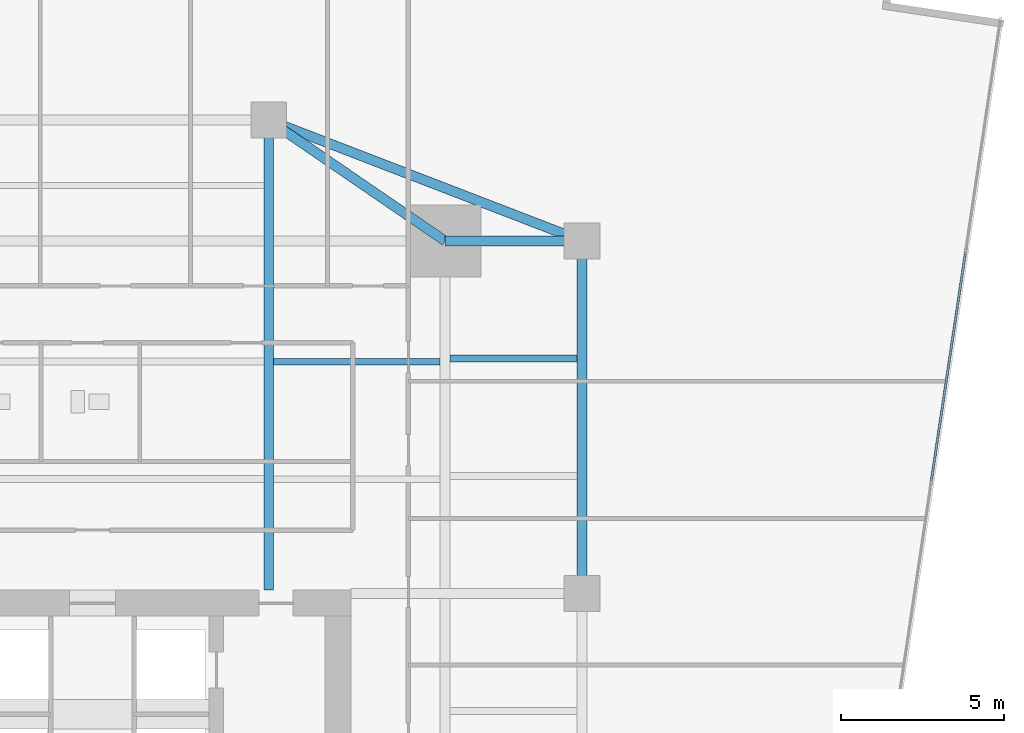
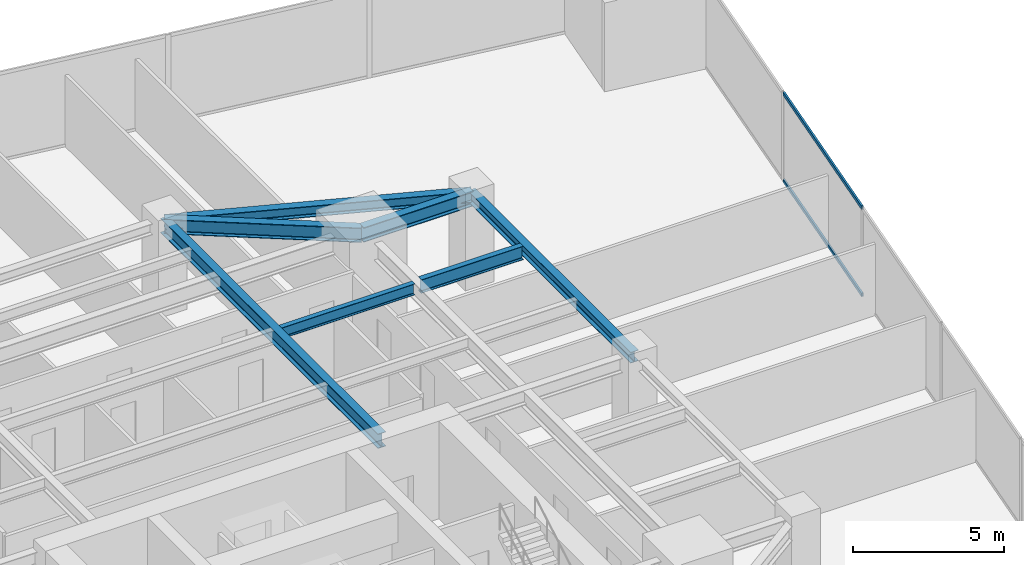
# One storey, part 20 of 29: 7 beams, 2 members, 1 element without a shape of its own.
"""IFC4 building model written with IfcOpenShell, lengths in metres."""

from ifc_helpers import new_model, si_unit, direction, frame, origin, origin_2d, place, context, subcontext, project, spatial, hollow_rectangle, i_section, extrude, source, transform, mapped, material, material_profile, profile_set, type_object, type_shapes, element, aggregate, save


model = new_model("IFC4")

# Units and contexts
model_context = context("Model", 3, precision=1e-05, world=origin(), true_north=direction((0.0, 1.0)))
body_context = subcontext(model_context, "Body", "Model", "MODEL_VIEW")
ifc_project = project(units=[si_unit("LENGTHUNIT", "METRE"), si_unit("AREAUNIT", "SQUARE_METRE"), si_unit("VOLUMEUNIT", "CUBIC_METRE"), si_unit("PLANEANGLEUNIT", "RADIAN"), si_unit("MASSUNIT", "GRAM", prefix="KILO")], contexts=[model_context])

# Site, building, storey
site_placement = place(None, origin())
site = spatial("IfcSite", under=ifc_project, at=site_placement, CompositionType="ELEMENT")
building_placement = place(site_placement, origin())
building = spatial("IfcBuilding", under=site, at=building_placement, Name="Krantzveldt Concourse Tower", CompositionType="ELEMENT")
storey_placement = place(building_placement, frame((0.0, 0.0, 76.35009765625)))
storey = spatial("IfcBuildingStorey", under=building, at=storey_placement, Name="L18", CompositionType="ELEMENT", Elevation=76.35009765625)

# Beams
ifc_material_1 = material(Name="Steel S355JR", Category="steel")
ifc_material_profile_1 = material_profile(ifc_material_1, i_section(OverallWidth=0.300048828125, OverallDepth=0.590087890625, WebThickness=0.012939453125, FlangeThickness=0.02490234375, FilletRadius=0.027099609375, at=origin_2d()), Name="Steel S355JR", Category="steel")
ifc_profile_set_1 = profile_set([ifc_material_profile_1], Name="Steel S355JR - HEA 600")
beam_type_1 = type_object("IfcBeamType", Name="BM-B-HEA600", PredefinedType="BEAM", material=ifc_profile_set_1)
shared_shape_1 = source(origin(), body_context, "Body", "SweptSolid", [
    extrude(i_section(OverallWidth=0.300048828125, OverallDepth=0.590087890625, WebThickness=0.012939453125, FlangeThickness=0.02490234375, FilletRadius=0.027099609375, at=origin_2d()), origin(), (0.0, 0.0, 1.0), 14.39990234375),
])
beam_1_placement = place(storey_placement, frame((41.39990234375, 26.800048828125, 3.294921875), z_axis=(0.0, 1.0, 0.0), x_axis=(-1.0, 0.0, 0.0)))
element("IfcBeam", 1, at=beam_1_placement, inside=storey, type_object=beam_type_1, Name="L18 Tower Girder BG-CNE", PredefinedType="BEAM", context=body_context, shape_type="MappedRepresentation", body=[
    mapped(shared_shape_1, transform((0.0, 0.0, 0.0), x_axis=(1.0, 0.0, 0.0), y_axis=(0.0, 1.0, 0.0), z_axis=(0.0, 0.0, 1.0), scale=1.0)),
])
ifc_material_profile_2 = material_profile(ifc_material_1, i_section(OverallWidth=0.300048828125, OverallDepth=0.43994140625, WebThickness=0.011474609375, FlangeThickness=0.02099609375, FilletRadius=0.027099609375, at=origin_2d()), Name="Steel S355JR", Category="steel")
ifc_profile_set_2 = profile_set([ifc_material_profile_2], Name="Steel S355JR - HEA 450")
beam_type_2 = type_object("IfcBeamType", Name="BM-SP-HEA450", PredefinedType="SPANDREL", material=ifc_profile_set_2)
shared_shape_2 = source(origin(), body_context, "Body", "SweptSolid", [
    extrude(i_section(OverallWidth=0.300048828125, OverallDepth=0.43994140625, WebThickness=0.011474609375, FlangeThickness=0.02099609375, FilletRadius=0.027099609375, at=origin_2d()), origin(), (0.0, 0.0, 1.0), 10.800048828125),
])
beam_2_placement = place(storey_placement, frame((51.0, 37.5, 3.369873046875), z_axis=(0.0, -1.0, 0.0), x_axis=(1.0, 0.0, 0.0)))
element("IfcBeam", 2, at=beam_2_placement, inside=storey, type_object=beam_type_2, Name="L18 Tower Girder SP-R06", PredefinedType="SPANDREL", context=body_context, shape_type="MappedRepresentation", body=[
    mapped(shared_shape_2, transform((0.0, 0.0, 0.0), x_axis=(1.0, 0.0, 0.0), y_axis=(0.0, 1.0, 0.0), z_axis=(0.0, 0.0, 1.0), scale=1.0)),
])
shared_shape_3 = source(origin(), body_context, "Body", "SweptSolid", [
    extrude(i_section(OverallWidth=0.300048828125, OverallDepth=0.43994140625, WebThickness=0.011474609375, FlangeThickness=0.02099609375, FilletRadius=0.027099609375, at=origin_2d()), origin(), (0.0, 0.0, 1.0), 10.288330078125),
])
type_shapes(beam_type_2, [shared_shape_2, shared_shape_3])
beam_3_placement = place(storey_placement, frame((41.39990234375, 41.199951171875, 3.369873046875), z_axis=(0.933097690408, -0.359622997257, 0.0), x_axis=(0.359622997257, 0.933097690408, 0.0)))
element("IfcBeam", 3, at=beam_3_placement, inside=storey, type_object=beam_type_2, Name="L18 Tower Girder SP-R05", PredefinedType="SPANDREL", context=body_context, shape_type="MappedRepresentation", body=[
    mapped(shared_shape_3, transform((0.0, 0.0, 0.0), x_axis=(1.0, 0.0, 0.0), y_axis=(0.0, 1.0, 0.0), z_axis=(0.0, 0.0, 1.0), scale=1.0)),
])
shared_shape_4 = source(origin(), body_context, "Body", "SweptSolid", [
    extrude(i_section(OverallWidth=0.300048828125, OverallDepth=0.590087890625, WebThickness=0.012939453125, FlangeThickness=0.02490234375, FilletRadius=0.027099609375, at=origin_2d()), origin(), (0.0, 0.0, 1.0), 4.199951171875),
])
beam_4_placement = place(storey_placement, frame((46.800048828125, 37.5, 3.294921875), z_axis=(1.0, 0.0, 0.0), x_axis=(0.0, 1.0, 0.0)))
element("IfcBeam", 4, at=beam_4_placement, inside=storey, type_object=beam_type_1, Name="L18 Tower Girder BR-RR3", PredefinedType="BEAM", context=body_context, shape_type="MappedRepresentation", body=[
    mapped(shared_shape_4, transform((0.0, 0.0, 0.0), x_axis=(1.0, 0.0, 0.0), y_axis=(0.0, 1.0, 0.0), z_axis=(0.0, 0.0, 1.0), scale=1.0)),
])
shared_shape_5 = source(origin(), body_context, "Body", "SweptSolid", [
    extrude(i_section(OverallWidth=0.300048828125, OverallDepth=0.590087890625, WebThickness=0.012939453125, FlangeThickness=0.02490234375, FilletRadius=0.027099609375, at=origin_2d()), origin(), (0.0, 0.0, 1.0), 6.546142578125),
])
type_shapes(beam_type_1, [shared_shape_1, shared_shape_4, shared_shape_5])
beam_5_placement = place(storey_placement, frame((46.800048828125, 37.5, 3.294921875), z_axis=(-0.824942999484, 0.565215930068, 0.0), x_axis=(-0.565215930068, -0.824942999484, 0.0)))
element("IfcBeam", 5, at=beam_5_placement, inside=storey, type_object=beam_type_1, Name="L18 Tower Girder BR-RR4", PredefinedType="BEAM", context=body_context, shape_type="MappedRepresentation", body=[
    mapped(shared_shape_5, transform((0.0, 0.0, 0.0), x_axis=(1.0, 0.0, 0.0), y_axis=(0.0, 1.0, 0.0), z_axis=(0.0, 0.0, 1.0), scale=1.0)),
])
ifc_material_profile_3 = material_profile(ifc_material_1, i_section(OverallWidth=0.18994140625, OverallDepth=0.449951171875, WebThickness=0.009521484375, FlangeThickness=0.0146484375, FilletRadius=0.02099609375, at=origin_2d()), Name="Steel S355JR", Category="steel")
ifc_profile_set_3 = profile_set([ifc_material_profile_3], Name="Steel S355JR - IPE 450")
beam_type_3 = type_object("IfcBeamType", Name="BM-J-IPE450", PredefinedType="JOIST", material=ifc_profile_set_3)
shared_shape_6 = source(origin(), body_context, "Body", "SweptSolid", [
    extrude(i_section(OverallWidth=0.18994140625, OverallDepth=0.449951171875, WebThickness=0.009521484375, FlangeThickness=0.0146484375, FilletRadius=0.02099609375, at=origin_2d()), origin(), (0.0, 0.0, 1.0), 5.099853515625),
])
type_shapes(beam_type_3, [shared_shape_6])
beam_6_placement = place(storey_placement, frame((41.550048828125, 33.800048828125, 3.364990234375), z_axis=(1.0, 0.0, 0.0), x_axis=(0.0, 1.0, 0.0)))
element("IfcBeam", 6, at=beam_6_placement, inside=storey, type_object=beam_type_3, Name="L18 Secondary Floor Joist JN-E2", PredefinedType="JOIST", context=body_context, shape_type="MappedRepresentation", body=[
    mapped(shared_shape_6, transform((0.0, 0.0, 0.0), x_axis=(1.0, 0.0, 0.0), y_axis=(0.0, 1.0, 0.0), z_axis=(0.0, 0.0, 1.0), scale=1.0)),
])
ifc_material_profile_4 = material_profile(ifc_material_1, i_section(OverallWidth=0.2099609375, OverallDepth=0.550048828125, WebThickness=0.010986328125, FlangeThickness=0.01708984375, FilletRadius=0.02392578125, at=origin_2d()), Name="Steel S355JR", Category="steel")
ifc_profile_set_4 = profile_set([ifc_material_profile_4], Name="Steel S355JR - IPE 550")
beam_type_4 = type_object("IfcBeamType", Name="BM-J-IPE550", PredefinedType="JOIST", material=ifc_profile_set_4)
shared_shape_7 = source(origin(), body_context, "Body", "SweptSolid", [
    extrude(i_section(OverallWidth=0.2099609375, OverallDepth=0.550048828125, WebThickness=0.010986328125, FlangeThickness=0.01708984375, FilletRadius=0.02392578125, at=origin_2d()), origin(), (0.0, 0.0, 1.0), 3.900146484375),
])
type_shapes(beam_type_4, [shared_shape_7])
beam_7_placement = place(storey_placement, frame((46.949951171875, 33.89990234375, 3.31494140625), z_axis=(1.0, 0.0, 0.0), x_axis=(0.0, 1.0, 0.0)))
element("IfcBeam", 7, at=beam_7_placement, inside=storey, type_object=beam_type_4, Name="L18 Secondary Floor Joist JE-4", PredefinedType="JOIST", context=body_context, shape_type="MappedRepresentation", body=[
    mapped(shared_shape_7, transform((0.0, 0.0, 0.0), x_axis=(1.0, 0.0, 0.0), y_axis=(0.0, 1.0, 0.0), z_axis=(0.0, 0.0, 1.0), scale=1.0)),
])

# Curtain wall, members
ifc_material_2 = material(Name="Anodised aluminium 6063-T6", Category="aluminium")
curtain_wall_type = type_object("IfcCurtainWallType", Name="CW2", PredefinedType="USERDEFINED", material=ifc_material_2)
curtain_wall_placement = place(storey_placement, origin())
curtain_wall = element("IfcCurtainWall", 8, at=curtain_wall_placement, inside=storey, type_object=curtain_wall_type, Name="CW-L18-F07", ObjectType="UNITISED CURTAIN WALL", PredefinedType="USERDEFINED")
ifc_material_profile_5 = material_profile(ifc_material_2, hollow_rectangle(XDim=0.070068359375, YDim=0.139892578125, WallThickness=0.0048828125, at=origin_2d()), Name="Anodised aluminium 6063-T6", Category="aluminium")
ifc_profile_set_5 = profile_set([ifc_material_profile_5], Name="Anodised aluminium 6063-T6 - ALU-TRAN 140x70x5")
member_type = type_object("IfcMemberType", Name="CW-TRN-150", PredefinedType="USERDEFINED", material=ifc_profile_set_5)
shared_shape_8 = source(origin(), body_context, "Body", "SweptSolid", [
    extrude(hollow_rectangle(XDim=0.070068359375, YDim=0.139892578125, WallThickness=0.0048828125, at=origin_2d()), origin(), (0.0, 0.0, 1.0), 7.0966796875),
])
type_shapes(member_type, [shared_shape_8])
member_1_placement = place(storey_placement, frame((61.700927734375, 30.140625, 0.034912109375), z_axis=(0.14779033687, 0.989018713841, 0.0), x_axis=(-0.989018713841, 0.14779033687, 0.0)))
member_1 = element("IfcMember", 9, at=member_1_placement, type_object=member_type, Name="CW-Z12 transom 5.1", ObjectType="TRANSOM", PredefinedType="USERDEFINED", context=body_context, shape_type="MappedRepresentation", body=[
    mapped(shared_shape_8, transform((0.0, 0.0, 0.0), x_axis=(1.0, 0.0, 0.0), y_axis=(0.0, 1.0, 0.0), z_axis=(0.0, 0.0, 1.0), scale=1.0)),
])
member_2_placement = place(storey_placement, frame((61.700927734375, 30.140625, 3.554931640625), z_axis=(0.14779033687, 0.989018713841, 0.0), x_axis=(-0.989018713841, 0.14779033687, 0.0)))
member_2 = element("IfcMember", 10, at=member_2_placement, type_object=member_type, Name="CW-Z12 transom 5.2", ObjectType="TRANSOM", PredefinedType="USERDEFINED", context=body_context, shape_type="MappedRepresentation", body=[
    mapped(shared_shape_8, transform((0.0, 0.0, 0.0), x_axis=(1.0, 0.0, 0.0), y_axis=(0.0, 1.0, 0.0), z_axis=(0.0, 0.0, 1.0), scale=1.0)),
])
aggregate(curtain_wall, [member_1, member_2])

save(model, "model.ifc")
